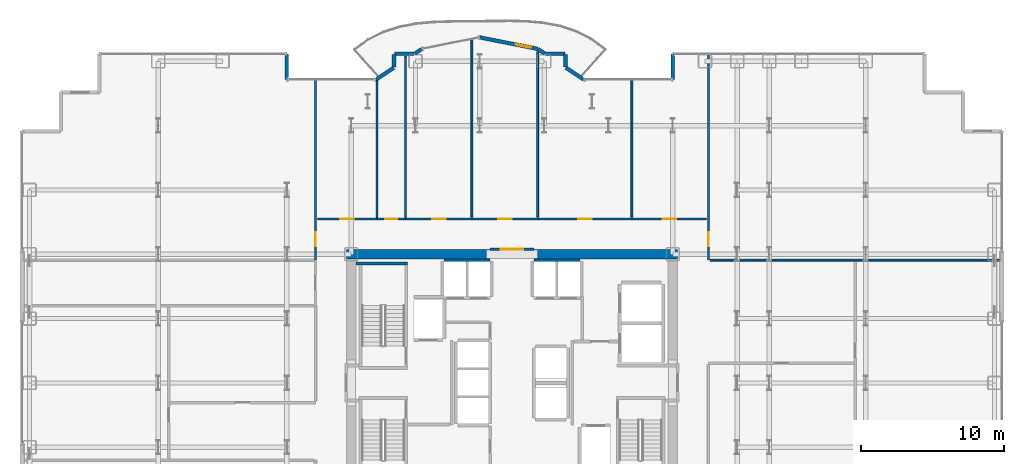
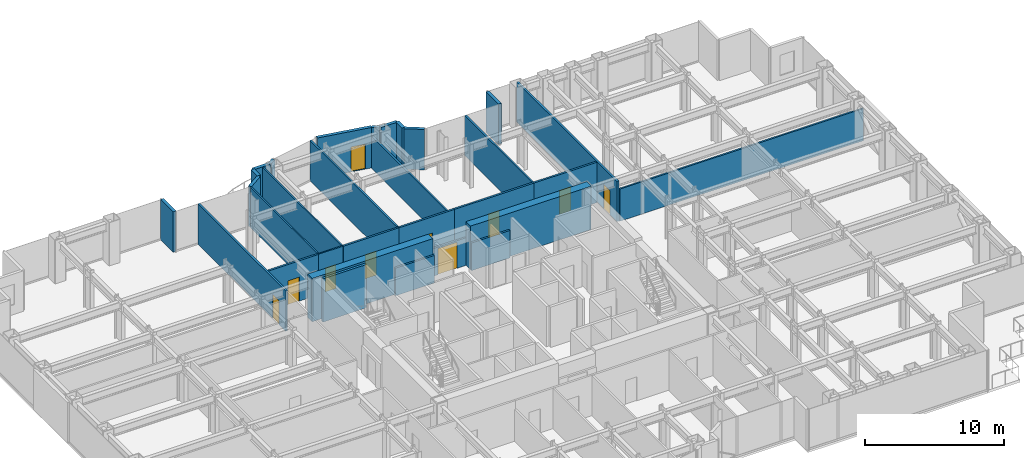
# One storey, part 26 of 29: 31 walls, 10 doors, 10 openings.
"""IFC4 building model written with IfcOpenShell, lengths in metres."""

from ifc_helpers import new_model, si_unit, direction, frame, frame_2d, origin, place, context, subcontext, project, spatial, rectangle, extrude, source, transform, mapped, material, layer, layer_set, type_object, element, fill, save


model = new_model("IFC4")

# Units and contexts
model_context = context("Model", 3, precision=1e-05, world=origin(), true_north=direction((0.0, 1.0)))
body_context = subcontext(model_context, "Body", "Model", "MODEL_VIEW")
ifc_project = project(units=[si_unit("LENGTHUNIT", "METRE"), si_unit("AREAUNIT", "SQUARE_METRE"), si_unit("VOLUMEUNIT", "CUBIC_METRE"), si_unit("PLANEANGLEUNIT", "RADIAN"), si_unit("MASSUNIT", "GRAM", prefix="KILO")], contexts=[model_context])

# Site, building, storey
site_placement = place(None, origin())
site = spatial("IfcSite", under=ifc_project, at=site_placement, CompositionType="ELEMENT")
building_placement = place(site_placement, origin())
building = spatial("IfcBuilding", under=site, at=building_placement, Name="Nefas-Gora Pilgrimage Tower", CompositionType="ELEMENT")
storey_placement = place(building_placement, frame((0.0, 0.0, 67.199951171875)))
storey = spatial("IfcBuildingStorey", under=building, at=storey_placement, Name="L15", CompositionType="ELEMENT", Elevation=67.199951171875)

# Walls
ifc_material_1 = material(Name="Concrete C60/75", Category="concrete")
ifc_layer_1 = layer(ifc_material_1, 0.64990234375)
ifc_layer_set_1 = layer_set([ifc_layer_1], Name="Concrete C60/75")
wall_type_1 = type_object("IfcWallType", Name="SW-CORE-650", PredefinedType="SHEAR", material=ifc_layer_set_1)
shared_shape_1 = source(origin(), body_context, "Body", "SweptSolid", [
    extrude(rectangle(XDim=10.02490234375, YDim=0.64990234375, at=frame_2d((5.012451171875, 0.0))), origin(), (0.0, 0.0, 1.0), 3.800048828125),
])
for number, where, z_axis, x_axis, name in (
    (1, (-11.574951171875, 9.0, 0.0), (0.0, 0.0, 1.0), (1.0, 0.0, 0.0), "L15 Core Shear Wall N-West"),
    (2, (1.550048828125, 9.0, 0.0), (0.0, 0.0, 1.0), (1.0, 0.0, 0.0), "L15 Core Shear Wall N-East"),
):
    element("IfcWall", number, at=place(storey_placement, frame(where, z_axis=z_axis, x_axis=x_axis)), inside=storey, type_object=wall_type_1, Name=name, PredefinedType="SHEAR", context=body_context, shape_type="MappedRepresentation", body=[
        mapped(shared_shape_1, transform((0.0, 0.0, 0.0), x_axis=(1.0, 0.0, 0.0), y_axis=(0.0, 1.0, 0.0), z_axis=(0.0, 0.0, 1.0), scale=1.0)),
    ])
ifc_material_2 = material(Name="Precast concrete C40/50", Category="concrete")
ifc_layer_2 = layer(ifc_material_2, 0.260009765625)
ifc_layer_set_2 = layer_set([ifc_layer_2], Name="Precast concrete C40/50")
wall_type_2 = type_object("IfcWallType", Name="EW-PORTAL-260", PredefinedType="SOLIDWALL", material=ifc_layer_set_2)
shared_shape_2 = source(origin(), body_context, "Body", "SweptSolid", [
    extrude(rectangle(XDim=1.800048828125, YDim=0.260009765625, at=frame_2d((0.89990234375, 0.0))), origin(), (0.0, 0.0, 1.0), 3.550048828125),
])
for number, where, z_axis, x_axis, name in (
    (3, (11.25, 23.02001953125, 0.0), (0.0, 0.0, 1.0), (0.0, -1.0, 0.0), "L15 Lobe Shoulder Precast Spandrel Pier 13"),
    (4, (-15.75, 21.219970703125, 0.0), (0.0, 0.0, 1.0), (0.0, 1.0, 0.0), "L15 Lobe Shoulder Precast Spandrel Pier 23"),
):
    element("IfcWall", number, at=place(storey_placement, frame(where, z_axis=z_axis, x_axis=x_axis)), inside=storey, type_object=wall_type_2, Name=name, PredefinedType="SOLIDWALL", context=body_context, shape_type="MappedRepresentation", body=[
        mapped(shared_shape_2, transform((0.0, 0.0, 0.0), x_axis=(1.0, 0.0, 0.0), y_axis=(0.0, 1.0, 0.0), z_axis=(0.0, 0.0, 1.0), scale=1.0)),
    ])
shared_shape_3 = source(origin(), body_context, "Body", "SweptSolid", [
    extrude(rectangle(XDim=1.468994140625, YDim=0.260009765625, at=frame_2d((0.734375, 0.0))), origin(), (0.0, 0.0, 1.0), 3.550048828125),
])
for number, where, z_axis, x_axis, name in (
    (5, (4.99462890625, 21.235595703125, 0.0), (0.0, 0.0, 1.0), (-0.831461760506, 0.555581983884, 0.0), "L15 Lobe Shoulder Precast Spandrel Pier 14"),
    (6, (-8.273193359375, 22.0517578125, 0.0), (0.0, 0.0, 1.0), (-0.831461760506, -0.555581983884, 0.0), "L15 Lobe Shoulder Precast Spandrel Pier 22"),
):
    element("IfcWall", number, at=place(storey_placement, frame(where, z_axis=z_axis, x_axis=x_axis)), inside=storey, type_object=wall_type_2, Name=name, PredefinedType="SOLIDWALL", context=body_context, shape_type="MappedRepresentation", body=[
        mapped(shared_shape_3, transform((0.0, 0.0, 0.0), x_axis=(1.0, 0.0, 0.0), y_axis=(0.0, 1.0, 0.0), z_axis=(0.0, 0.0, 1.0), scale=1.0)),
    ])
shared_shape_4 = source(origin(), body_context, "Body", "SweptSolid", [
    extrude(rectangle(XDim=0.896728515625, YDim=0.260009765625, at=frame_2d((0.4482421875, 0.0))), origin(), (0.0, 0.0, 1.0), 3.550048828125),
])
for number, where, z_axis, x_axis, name in (
    (7, (3.75, 22.09521484375, 0.0), (0.0, 0.0, 1.0), (0.0, 1.0, 0.0), "L15 Lobe Shoulder Precast Spandrel Pier 15"),
    (8, (-8.25, 22.991943359375, 0.0), (0.0, 0.0, 1.0), (0.0, -1.0, 0.0), "L15 Lobe Shoulder Precast Spandrel Pier 21"),
):
    element("IfcWall", number, at=place(storey_placement, frame(where, z_axis=z_axis, x_axis=x_axis)), inside=storey, type_object=wall_type_2, Name=name, PredefinedType="SOLIDWALL", context=body_context, shape_type="MappedRepresentation", body=[
        mapped(shared_shape_4, transform((0.0, 0.0, 0.0), x_axis=(1.0, 0.0, 0.0), y_axis=(0.0, 1.0, 0.0), z_axis=(0.0, 0.0, 1.0), scale=1.0)),
    ])
shared_shape_5 = source(origin(), body_context, "Body", "SweptSolid", [
    extrude(rectangle(XDim=1.369873046875, YDim=0.260009765625, at=frame_2d((0.68505859375, 0.0))), origin(), (0.0, 0.0, 1.0), 3.550048828125),
])
for number, where, z_axis, x_axis, name in (
    (9, (3.721923828125, 23.02001953125, 0.0), (0.0, 0.0, 1.0), (-1.0, 0.0, 0.0), "L15 Lobe Shoulder Precast Spandrel Pier 16"),
    (10, (-6.85205078125, 23.02001953125, 0.0), (0.0, 0.0, 1.0), (-1.0, 0.0, 0.0), "L15 Lobe Shoulder Precast Spandrel Pier 20"),
):
    element("IfcWall", number, at=place(storey_placement, frame(where, z_axis=z_axis, x_axis=x_axis)), inside=storey, type_object=wall_type_2, Name=name, PredefinedType="SOLIDWALL", context=body_context, shape_type="MappedRepresentation", body=[
        mapped(shared_shape_5, transform((0.0, 0.0, 0.0), x_axis=(1.0, 0.0, 0.0), y_axis=(0.0, 1.0, 0.0), z_axis=(0.0, 0.0, 1.0), scale=1.0)),
    ])
shared_shape_6 = source(origin(), body_context, "Body", "SweptSolid", [
    extrude(rectangle(XDim=0.5654296875, YDim=0.260009765625, at=frame_2d((0.28271484375, 0.0))), origin(), (0.0, 0.0, 1.0), 3.550048828125),
])
for number, where, z_axis, x_axis, name in (
    (11, (2.30078125, 23.03564453125, 0.0), (0.0, 0.0, 1.0), (-0.831651492666, 0.555297933317, 0.0), "L15 Lobe Shoulder Precast Spandrel Pier 17"),
    (12, (-6.33056640625, 23.349609375, 0.0), (0.0, 0.0, 1.0), (-0.831651492666, -0.555297933317, 0.0), "L15 Lobe Shoulder Precast Spandrel Pier 19"),
):
    element("IfcWall", number, at=place(storey_placement, frame(where, z_axis=z_axis, x_axis=x_axis)), inside=storey, type_object=wall_type_2, Name=name, PredefinedType="SOLIDWALL", context=body_context, shape_type="MappedRepresentation", body=[
        mapped(shared_shape_6, transform((0.0, 0.0, 0.0), x_axis=(1.0, 0.0, 0.0), y_axis=(0.0, 1.0, 0.0), z_axis=(0.0, 0.0, 1.0), scale=1.0)),
    ])

# Wall, opening, door
shared_shape_7 = source(origin(), body_context, "Body", "SweptSolid", [
    extrude(rectangle(XDim=4.136962890625, YDim=0.260009765625, at=frame_2d((2.068359375, 0.0))), origin(), (0.0, 0.0, 1.0), 3.550048828125),
])
wall_1_placement = place(storey_placement, frame((1.807373046875, 23.365234375, 0.0), z_axis=(0.0, 0.0, 1.0), x_axis=(-0.980782170794, 0.195105954428, 0.0)))
wall_1 = element("IfcWall", 13, at=wall_1_placement, inside=storey, type_object=wall_type_2, Name="L15 Insulated Terrace Portal Wall 18", PredefinedType="SOLIDWALL", context=body_context, shape_type="MappedRepresentation", body=[
    mapped(shared_shape_7, transform((0.0, 0.0, 0.0), x_axis=(1.0, 0.0, 0.0), y_axis=(0.0, 1.0, 0.0), z_axis=(0.0, 0.0, 1.0), scale=1.0)),
])
opening_1_placement = place(wall_1_placement, frame((0.48779296875, 0.0, 0.0)))
opening_1 = element("IfcOpeningElement", 14, at=opening_1_placement, cuts=wall_1, Name="Opening ED-B1", PredefinedType="OPENING", context=body_context, shape_type="SweptSolid", body=[
    extrude(rectangle(XDim=1.10009765625, YDim=2.199951171875, at=frame_2d((0.550048828125, 1.10009765625))), frame((0.0, 0.139892578125, 0.0), z_axis=(0.0, -1.0, 0.0), x_axis=(1.0, 0.0, 0.0)), (0.0, 0.0, 1.0), 0.280029296875),
])
ifc_material_3 = material(Name="Thermally broken glazed aluminium balcony door", Category="aluminium")
door_type_1 = type_object("IfcDoorType", Name="DR-EXT-BAL-1100", OperationType="NOTDEFINED", PredefinedType="DOOR", material=ifc_material_3)
shared_shape_8 = source(origin(), body_context, "Body", "SweptSolid", [
    extrude(rectangle(XDim=1.10009765625, YDim=2.199951171875, at=frame_2d((0.550048828125, 1.10009765625))), frame((0.0, 0.02490234375, 0.0), z_axis=(0.0, -1.0, 0.0), x_axis=(1.0, 0.0, 0.0)), (0.0, 0.0, 1.0), 0.050048828125),
])
door_1_placement = place(opening_1_placement, origin())
door_1 = element("IfcDoor", 15, at=door_1_placement, inside=storey, type_object=door_type_1, Name="L15 Exterior Door (L15 N Lobe Wave Balcony)", OperationType="SINGLE_SWING_LEFT", OverallHeight=2.199951171875, OverallWidth=1.10009765625, PredefinedType="DOOR", context=body_context, shape_type="MappedRepresentation", body=[
    mapped(shared_shape_8, transform((0.0, 0.0, 0.0), x_axis=(1.0, 0.0, 0.0), y_axis=(0.0, 1.0, 0.0), z_axis=(0.0, 0.0, 1.0), scale=1.0)),
])
fill(opening_1, door_1)

# Walls
ifc_material_4 = material(Name="Concrete C45/55", Category="concrete")
ifc_layer_3 = layer(ifc_material_4, 0.199951171875)
ifc_layer_set_3 = layer_set([ifc_layer_3], Name="Concrete C45/55")
wall_type_3 = type_object("IfcWallType", Name="IW-STAIR-200", PredefinedType="SOLIDWALL", material=ifc_layer_set_3)
shared_shape_9 = source(origin(), body_context, "Body", "SweptSolid", [
    extrude(rectangle(XDim=3.6298828125, YDim=0.199951171875, at=frame_2d((1.81494140625, 0.0))), origin(), (0.0, 0.0, 1.0), 3.800048828125),
])
wall_2_placement = place(storey_placement, frame((-7.300048828125, 8.35009765625, 0.0), z_axis=(0.0, 0.0, 1.0), x_axis=(-1.0, 0.0, 0.0)))
element("IfcWall", 16, at=wall_2_placement, inside=storey, type_object=wall_type_3, Name="L15 Stairwell Shear Wall ST-01-far", PredefinedType="SOLIDWALL", context=body_context, shape_type="MappedRepresentation", body=[
    mapped(shared_shape_9, transform((0.0, 0.0, 0.0), x_axis=(1.0, 0.0, 0.0), y_axis=(0.0, 1.0, 0.0), z_axis=(0.0, 0.0, 1.0), scale=1.0)),
])
ifc_material_5 = material(Name="Gypsum acoustic stud partition")
ifc_layer_4 = layer(ifc_material_5, 0.159912109375)
ifc_layer_set_4 = layer_set([ifc_layer_4], Name="Gypsum acoustic stud partition")
wall_type_4 = type_object("IfcWallType", Name="IW-CORR-160", PredefinedType="PARTITIONING", material=ifc_layer_set_4)
shared_shape_10 = source(origin(), body_context, "Body", "SweptSolid", [
    extrude(rectangle(XDim=3.199951171875, YDim=0.159912109375, at=frame_2d((1.60009765625, 0.0))), origin(), (0.0, 0.0, 1.0), 2.425048828125),
])
for number, where, z_axis, x_axis, name in (
    (17, (-1.550048828125, 8.580078125, 0.0), (0.0, 0.0, 1.0), (-1.0, 0.0, 0.0), "L15 Hoistway Wall PL1-W-N"),
    (18, (4.75, 8.580078125, 0.0), (0.0, 0.0, 1.0), (-1.0, 0.0, 0.0), "L15 Hoistway Wall PL1-E-N"),
):
    element("IfcWall", number, at=place(storey_placement, frame(where, z_axis=z_axis, x_axis=x_axis)), inside=storey, type_object=wall_type_4, Name=name, PredefinedType="PARTITIONING", context=body_context, shape_type="MappedRepresentation", body=[
        mapped(shared_shape_10, transform((0.0, 0.0, 0.0), x_axis=(1.0, 0.0, 0.0), y_axis=(0.0, 1.0, 0.0), z_axis=(0.0, 0.0, 1.0), scale=1.0)),
    ])

# Wall, opening, door
shared_shape_11 = source(origin(), body_context, "Body", "SweptSolid", [
    extrude(rectangle(XDim=3.08984375, YDim=0.159912109375, at=frame_2d((1.544921875, 0.0))), origin(), (0.0, 0.0, 1.0), 2.425048828125),
])
wall_3_placement = place(storey_placement, frame((-1.544921875, 9.35009765625, 0.0), z_axis=(0.0, 0.0, 1.0), x_axis=(1.0, 0.0, 0.0)))
wall_3 = element("IfcWall", 19, at=wall_3_placement, inside=storey, type_object=wall_type_4, Name="L15 Central Lift Lobby North Portal Wall 13", PredefinedType="PARTITIONING", context=body_context, shape_type="MappedRepresentation", body=[
    mapped(shared_shape_11, transform((0.0, 0.0, 0.0), x_axis=(1.0, 0.0, 0.0), y_axis=(0.0, 1.0, 0.0), z_axis=(0.0, 0.0, 1.0), scale=1.0)),
])
opening_2_placement = place(wall_3_placement, frame((0.7451171875, 0.0, 0.0)))
opening_2 = element("IfcOpeningElement", 20, at=opening_2_placement, cuts=wall_3, Name="Opening ID-HL1", PredefinedType="OPENING", context=body_context, shape_type="SweptSolid", body=[
    extrude(rectangle(XDim=1.60009765625, YDim=2.300048828125, at=frame_2d((0.800048828125, 1.14990234375))), frame((0.0, 0.08984375, 0.0), z_axis=(0.0, -1.0, 0.0), x_axis=(1.0, 0.0, 0.0)), (0.0, 0.0, 1.0), 0.179931640625),
])
ifc_material_6 = material(Name="Double acoustic timber assembly hall door", Category="wood")
door_type_2 = type_object("IfcDoorType", Name="DR-INT-HALL-1600", OperationType="DOUBLE_DOOR_SINGLE_SWING", PredefinedType="DOOR", material=ifc_material_6)
shared_shape_12 = source(origin(), body_context, "Body", "SweptSolid", [
    extrude(rectangle(XDim=1.60009765625, YDim=2.300048828125, at=frame_2d((0.800048828125, 1.14990234375))), frame((0.0, 0.02490234375, 0.0), z_axis=(0.0, -1.0, 0.0), x_axis=(1.0, 0.0, 0.0)), (0.0, 0.0, 1.0), 0.050048828125),
])
door_2_placement = place(opening_2_placement, origin())
door_2 = element("IfcDoor", 21, at=door_2_placement, inside=storey, type_object=door_type_2, Name="L15 Central Lift Lobby North Portal Door 4", OperationType="DOUBLE_DOOR_SINGLE_SWING", OverallHeight=2.300048828125, OverallWidth=1.60009765625, PredefinedType="DOOR", context=body_context, shape_type="MappedRepresentation", body=[
    mapped(shared_shape_12, transform((0.0, 0.0, 0.0), x_axis=(1.0, 0.0, 0.0), y_axis=(0.0, 1.0, 0.0), z_axis=(0.0, 0.0, 1.0), scale=1.0)),
])
fill(opening_2, door_2)

# Wall
ifc_material_7 = material(Name="Gypsum twin-stud partition")
ifc_layer_5 = layer(ifc_material_7, 0.139892578125)
ifc_layer_set_5 = layer_set([ifc_layer_5], Name="Gypsum twin-stud partition")
wall_type_5 = type_object("IfcWallType", Name="IW-UNIT-140", PredefinedType="PARTITIONING", material=ifc_layer_set_5)
shared_shape_13 = source(origin(), body_context, "Body", "SweptSolid", [
    extrude(rectangle(XDim=20.219970703125, YDim=0.139892578125, at=frame_2d((10.10986328125, 0.0))), origin(), (0.0, 0.0, 1.0), 2.824951171875),
])
wall_4_placement = place(storey_placement, frame((13.860107421875, 8.597412109375, 0.0), z_axis=(0.0, 0.0, 1.0), x_axis=(1.0, 0.0, 0.0)))
element("IfcWall", 22, at=wall_4_placement, inside=storey, type_object=wall_type_5, Name="L15 Pilgrim Contemplative Lounge Partition Wall 37", PredefinedType="PARTITIONING", context=body_context, shape_type="MappedRepresentation", body=[
    mapped(shared_shape_13, transform((0.0, 0.0, 0.0), x_axis=(1.0, 0.0, 0.0), y_axis=(0.0, 1.0, 0.0), z_axis=(0.0, 0.0, 1.0), scale=1.0)),
])

# Wall, opening, door
ifc_material_8 = material(Name="Moisture-resistant fire-rated gypsum partition")
ifc_layer_6 = layer(ifc_material_8, 0.1201171875)
ifc_layer_set_6 = layer_set([ifc_layer_6], Name="Moisture-resistant fire-rated gypsum partition")
wall_type_6 = type_object("IfcWallType", Name="IW-WET-120", PredefinedType="PLUMBINGWALL", material=ifc_layer_set_6)
shared_shape_14 = source(origin(), body_context, "Body", "SweptSolid", [
    extrude(rectangle(XDim=2.02001953125, YDim=0.1201171875, at=frame_2d((1.010009765625, 0.0))), origin(), (0.0, 0.0, 1.0), 3.53515625),
])
wall_5_placement = place(storey_placement, frame((-9.4599609375, 11.469970703125, 0.0), z_axis=(0.0, 0.0, 1.0), x_axis=(1.0, 0.0, 0.0)))
wall_5 = element("IfcWall", 23, at=wall_5_placement, inside=storey, type_object=wall_type_6, Name="L15 Accessible Unisex WC Partition Wall 20", PredefinedType="PLUMBINGWALL", context=body_context, shape_type="MappedRepresentation", body=[
    mapped(shared_shape_14, transform((0.0, 0.0, 0.0), x_axis=(1.0, 0.0, 0.0), y_axis=(0.0, 1.0, 0.0), z_axis=(0.0, 0.0, 1.0), scale=1.0)),
])
opening_3_placement = place(wall_5_placement, frame((0.5849609375, 0.0, 0.0)))
opening_3 = element("IfcOpeningElement", 24, at=opening_3_placement, cuts=wall_5, Name="Opening ID-BT1", PredefinedType="OPENING", context=body_context, shape_type="SweptSolid", body=[
    extrude(rectangle(XDim=0.85009765625, YDim=2.10009765625, at=frame_2d((0.425048828125, 1.050048828125))), frame((0.0, 0.070068359375, 0.0), z_axis=(0.0, -1.0, 0.0), x_axis=(1.0, 0.0, 0.0)), (0.0, 0.0, 1.0), 0.14013671875),
])
ifc_material_9 = material(Name="Moisture-resistant fire-rated timber door", Category="wood")
door_type_3 = type_object("IfcDoorType", Name="DR-INT-BATH-850", OperationType="NOTDEFINED", PredefinedType="DOOR", material=ifc_material_9)
shared_shape_15 = source(origin(), body_context, "Body", "SweptSolid", [
    extrude(rectangle(XDim=0.85009765625, YDim=2.10009765625, at=frame_2d((0.425048828125, 1.050048828125))), frame((0.0, 0.02490234375, 0.0), z_axis=(0.0, -1.0, 0.0), x_axis=(1.0, 0.0, 0.0)), (0.0, 0.0, 1.0), 0.050048828125),
])
door_3_placement = place(opening_3_placement, origin())
door_3 = element("IfcDoor", 25, at=door_3_placement, inside=storey, type_object=door_type_3, Name="L15 Accessible Unisex WC Door 8", OperationType="SINGLE_SWING_RIGHT", OverallHeight=2.10009765625, OverallWidth=0.85009765625, PredefinedType="DOOR", context=body_context, shape_type="MappedRepresentation", body=[
    mapped(shared_shape_15, transform((0.0, 0.0, 0.0), x_axis=(1.0, 0.0, 0.0), y_axis=(0.0, 1.0, 0.0), z_axis=(0.0, 0.0, 1.0), scale=1.0)),
])
fill(opening_3, door_3)

# Walls
shared_shape_16 = source(origin(), body_context, "Body", "SweptSolid", [
    extrude(rectangle(XDim=11.280029296875, YDim=0.1201171875, at=frame_2d((5.64013671875, 0.0))), origin(), (0.0, 0.0, 1.0), 3.53515625),
])
wall_6_placement = place(storey_placement, frame((-7.449951171875, 11.570068359375, 0.0), z_axis=(0.0, 0.0, 1.0), x_axis=(0.0, 1.0, 0.0)))
element("IfcWall", 26, at=wall_6_placement, inside=storey, type_object=wall_type_6, Name="L15 Accessible Unisex WC Partition Wall 21", PredefinedType="PLUMBINGWALL", context=body_context, shape_type="MappedRepresentation", body=[
    mapped(shared_shape_16, transform((0.0, 0.0, 0.0), x_axis=(1.0, 0.0, 0.0), y_axis=(0.0, 1.0, 0.0), z_axis=(0.0, 0.0, 1.0), scale=1.0)),
])
shared_shape_17 = source(origin(), body_context, "Body", "SweptSolid", [
    extrude(rectangle(XDim=9.586669921875, YDim=0.1201171875, at=frame_2d((4.79345703125, 0.0))), origin(), (0.0, 0.0, 1.0), 3.53515625),
])
wall_7_placement = place(storey_placement, frame((-9.449951171875, 11.570068359375, 0.0), z_axis=(0.0, 0.0, 1.0), x_axis=(0.0, 1.0, 0.0)))
element("IfcWall", 27, at=wall_7_placement, inside=storey, type_object=wall_type_6, Name="L15 Accessible Unisex WC Partition Wall 22", PredefinedType="PLUMBINGWALL", context=body_context, shape_type="MappedRepresentation", body=[
    mapped(shared_shape_17, transform((0.0, 0.0, 0.0), x_axis=(1.0, 0.0, 0.0), y_axis=(0.0, 1.0, 0.0), z_axis=(0.0, 0.0, 1.0), scale=1.0)),
])

# Wall, opening, door
shared_shape_18 = source(origin(), body_context, "Body", "SweptSolid", [
    extrude(rectangle(XDim=4.125, YDim=0.159912109375, at=frame_2d((2.0625, 0.0))), origin(), (0.0, 0.0, 1.0), 3.53515625),
])
wall_8_placement = place(storey_placement, frame((-13.6201171875, 11.469970703125, 0.0), z_axis=(0.0, 0.0, 1.0), x_axis=(1.0, 0.0, 0.0)))
wall_8 = element("IfcWall", 28, at=wall_8_placement, inside=storey, type_object=wall_type_4, Name="L15 Pilgrim Contemplative Lounge Partition Wall 41", PredefinedType="PARTITIONING", context=body_context, shape_type="MappedRepresentation", body=[
    mapped(shared_shape_18, transform((0.0, 0.0, 0.0), x_axis=(1.0, 0.0, 0.0), y_axis=(0.0, 1.0, 0.0), z_axis=(0.0, 0.0, 1.0), scale=1.0)),
])
opening_4_placement = place(wall_8_placement, frame((1.58740234375, 0.0, 0.0)))
opening_4 = element("IfcOpeningElement", 29, at=opening_4_placement, cuts=wall_8, Name="Opening ID-GR1", PredefinedType="OPENING", context=body_context, shape_type="SweptSolid", body=[
    extrude(rectangle(XDim=0.949951171875, YDim=2.10009765625, at=frame_2d((0.47509765625, 1.050048828125))), frame((0.0, 0.08984375, 0.0), z_axis=(0.0, -1.0, 0.0), x_axis=(1.0, 0.0, 0.0)), (0.0, 0.0, 1.0), 0.179931640625),
])
ifc_material_10 = material(Name="Solid core oak fire-rated guest entrance door")
door_type_4 = type_object("IfcDoorType", Name="DR-INT-GUEST-950", OperationType="NOTDEFINED", PredefinedType="DOOR", material=ifc_material_10)
shared_shape_19 = source(origin(), body_context, "Body", "SweptSolid", [
    extrude(rectangle(XDim=0.949951171875, YDim=2.10009765625, at=frame_2d((0.47509765625, 1.050048828125))), frame((0.0, 0.02490234375, 0.0), z_axis=(0.0, -1.0, 0.0), x_axis=(1.0, 0.0, 0.0)), (0.0, 0.0, 1.0), 0.050048828125),
])
door_4_placement = place(opening_4_placement, origin())
door_4 = element("IfcDoor", 30, at=door_4_placement, inside=storey, type_object=door_type_4, Name="L15 Pilgrim Contemplative Lounge Door 19", OperationType="SINGLE_SWING_LEFT", OverallHeight=2.10009765625, OverallWidth=0.949951171875, PredefinedType="DOOR", context=body_context, shape_type="MappedRepresentation", body=[
    mapped(shared_shape_19, transform((0.0, 0.0, 0.0), x_axis=(1.0, 0.0, 0.0), y_axis=(0.0, 1.0, 0.0), z_axis=(0.0, 0.0, 1.0), scale=1.0)),
])
fill(opening_4, door_4)

# Walls
shared_shape_20 = source(origin(), body_context, "Body", "SweptSolid", [
    extrude(rectangle(XDim=9.64990234375, YDim=0.139892578125, at=frame_2d((4.824951171875, 0.0))), origin(), (0.0, 0.0, 1.0), 3.53515625),
])
wall_9_placement = place(storey_placement, frame((8.39501953125, 11.590087890625, 0.0), z_axis=(0.0, 0.0, 1.0), x_axis=(0.0, 1.0, 0.0)))
element("IfcWall", 31, at=wall_9_placement, inside=storey, type_object=wall_type_5, Name="L15 Pilgrim Contemplative Lounge Partition Wall 47", PredefinedType="PARTITIONING", context=body_context, shape_type="MappedRepresentation", body=[
    mapped(shared_shape_20, transform((0.0, 0.0, 0.0), x_axis=(1.0, 0.0, 0.0), y_axis=(0.0, 1.0, 0.0), z_axis=(0.0, 0.0, 1.0), scale=1.0)),
])
shared_shape_21 = source(origin(), body_context, "Body", "SweptSolid", [
    extrude(rectangle(XDim=11.581298828125, YDim=0.139892578125, at=frame_2d((5.79052734375, 0.0))), origin(), (0.0, 0.0, 1.0), 2.824951171875),
])
wall_10_placement = place(storey_placement, frame((1.794921875, 11.590087890625, 0.0), z_axis=(0.0, 0.0, 1.0), x_axis=(0.0, 1.0, 0.0)))
element("IfcWall", 32, at=wall_10_placement, inside=storey, type_object=wall_type_5, Name="L15 Pilgrim Contemplative Lounge Partition Wall 45", PredefinedType="PARTITIONING", context=body_context, shape_type="MappedRepresentation", body=[
    mapped(shared_shape_21, transform((0.0, 0.0, 0.0), x_axis=(1.0, 0.0, 0.0), y_axis=(0.0, 1.0, 0.0), z_axis=(0.0, 0.0, 1.0), scale=1.0)),
])

# Wall, opening, door
shared_shape_22 = source(origin(), body_context, "Body", "SweptSolid", [
    extrude(rectangle(XDim=4.60498046875, YDim=0.159912109375, at=frame_2d((2.302490234375, 0.0))), origin(), (0.0, 0.0, 1.0), 3.53515625),
])
wall_11_placement = place(storey_placement, frame((-7.405029296875, 11.469970703125, 0.0), z_axis=(0.0, 0.0, 1.0), x_axis=(1.0, 0.0, 0.0)))
wall_11 = element("IfcWall", 33, at=wall_11_placement, inside=storey, type_object=wall_type_4, Name="L15 Pilgrim Contemplative Lounge Partition Wall 42", PredefinedType="PARTITIONING", context=body_context, shape_type="MappedRepresentation", body=[
    mapped(shared_shape_22, transform((0.0, 0.0, 0.0), x_axis=(1.0, 0.0, 0.0), y_axis=(0.0, 1.0, 0.0), z_axis=(0.0, 0.0, 1.0), scale=1.0)),
])
opening_5_placement = place(wall_11_placement, frame((1.827392578125, 0.0, 0.0)))
opening_5 = element("IfcOpeningElement", 34, at=opening_5_placement, cuts=wall_11, Name="Opening ID-GR1", PredefinedType="OPENING", context=body_context, shape_type="SweptSolid", body=[
    extrude(rectangle(XDim=0.949951171875, YDim=2.10009765625, at=frame_2d((0.47509765625, 1.050048828125))), frame((0.0, 0.08984375, 0.0), z_axis=(0.0, -1.0, 0.0), x_axis=(1.0, 0.0, 0.0)), (0.0, 0.0, 1.0), 0.179931640625),
])
door_5_placement = place(opening_5_placement, origin())
door_5 = element("IfcDoor", 35, at=door_5_placement, inside=storey, type_object=door_type_4, Name="L15 Pilgrim Contemplative Lounge Door 20", OperationType="SINGLE_SWING_RIGHT", OverallHeight=2.10009765625, OverallWidth=0.949951171875, PredefinedType="DOOR", context=body_context, shape_type="MappedRepresentation", body=[
    mapped(shared_shape_19, transform((0.0, 0.0, 0.0), x_axis=(1.0, 0.0, 0.0), y_axis=(0.0, 1.0, 0.0), z_axis=(0.0, 0.0, 1.0), scale=1.0)),
])
fill(opening_5, door_5)

wall_12_placement = place(storey_placement, frame((-2.800048828125, 11.469970703125, 0.0), z_axis=(0.0, 0.0, 1.0), x_axis=(1.0, 0.0, 0.0)))
wall_12 = element("IfcWall", 36, at=wall_12_placement, inside=storey, type_object=wall_type_4, Name="L15 Pilgrim Contemplative Lounge Partition Wall 44", PredefinedType="PARTITIONING", context=body_context, shape_type="MappedRepresentation", body=[
    mapped(shared_shape_22, transform((0.0, 0.0, 0.0), x_axis=(1.0, 0.0, 0.0), y_axis=(0.0, 1.0, 0.0), z_axis=(0.0, 0.0, 1.0), scale=1.0)),
])
opening_6_placement = place(wall_12_placement, frame((1.827392578125, 0.0, 0.0)))
opening_6 = element("IfcOpeningElement", 37, at=opening_6_placement, cuts=wall_12, Name="Opening ID-GR1", PredefinedType="OPENING", context=body_context, shape_type="SweptSolid", body=[
    extrude(rectangle(XDim=0.949951171875, YDim=2.10009765625, at=frame_2d((0.47509765625, 1.050048828125))), frame((0.0, 0.08984375, 0.0), z_axis=(0.0, -1.0, 0.0), x_axis=(1.0, 0.0, 0.0)), (0.0, 0.0, 1.0), 0.179931640625),
])
door_6_placement = place(opening_6_placement, origin())
door_6 = element("IfcDoor", 38, at=door_6_placement, inside=storey, type_object=door_type_4, Name="L15 Pilgrim Contemplative Lounge Door 21", OperationType="SINGLE_SWING_LEFT", OverallHeight=2.10009765625, OverallWidth=0.949951171875, PredefinedType="DOOR", context=body_context, shape_type="MappedRepresentation", body=[
    mapped(shared_shape_19, transform((0.0, 0.0, 0.0), x_axis=(1.0, 0.0, 0.0), y_axis=(0.0, 1.0, 0.0), z_axis=(0.0, 0.0, 1.0), scale=1.0)),
])
fill(opening_6, door_6)

# Wall
shared_shape_23 = source(origin(), body_context, "Body", "SweptSolid", [
    extrude(rectangle(XDim=12.4951171875, YDim=0.139892578125, at=frame_2d((6.24755859375, 0.0))), origin(), (0.0, 0.0, 1.0), 3.53515625),
])
wall_13_placement = place(storey_placement, frame((-2.81005859375, 11.590087890625, 0.0), z_axis=(0.0, 0.0, 1.0), x_axis=(0.0, 1.0, 0.0)))
element("IfcWall", 39, at=wall_13_placement, inside=storey, type_object=wall_type_5, Name="L15 Pilgrim Contemplative Lounge Partition Wall 43", PredefinedType="PARTITIONING", context=body_context, shape_type="MappedRepresentation", body=[
    mapped(shared_shape_23, transform((0.0, 0.0, 0.0), x_axis=(1.0, 0.0, 0.0), y_axis=(0.0, 1.0, 0.0), z_axis=(0.0, 0.0, 1.0), scale=1.0)),
])

# Wall, opening, door
shared_shape_24 = source(origin(), body_context, "Body", "SweptSolid", [
    extrude(rectangle(XDim=12.64501953125, YDim=0.159912109375, at=frame_2d((6.322509765625, 0.0))), origin(), (0.0, 0.0, 1.0), 3.53515625),
])
wall_14_placement = place(storey_placement, frame((-13.739990234375, 8.594970703125, 0.0), z_axis=(0.0, 0.0, 1.0), x_axis=(0.0, 1.0, 0.0)))
wall_14 = element("IfcWall", 40, at=wall_14_placement, inside=storey, type_object=wall_type_4, Name="L15 Pilgrim Contemplative Lounge Partition Wall 33", PredefinedType="PARTITIONING", context=body_context, shape_type="MappedRepresentation", body=[
    mapped(shared_shape_24, transform((0.0, 0.0, 0.0), x_axis=(1.0, 0.0, 0.0), y_axis=(0.0, 1.0, 0.0), z_axis=(0.0, 0.0, 1.0), scale=1.0)),
])
opening_7_placement = place(wall_14_placement, frame((0.982421875, 0.0, 0.0)))
opening_7 = element("IfcOpeningElement", 41, at=opening_7_placement, cuts=wall_14, Name="Opening ID-GR1", PredefinedType="OPENING", context=body_context, shape_type="SweptSolid", body=[
    extrude(rectangle(XDim=0.949951171875, YDim=2.10009765625, at=frame_2d((0.47509765625, 1.050048828125))), frame((0.0, 0.08984375, 0.0), z_axis=(0.0, -1.0, 0.0), x_axis=(1.0, 0.0, 0.0)), (0.0, 0.0, 1.0), 0.179931640625),
])
door_7_placement = place(opening_7_placement, origin())
door_7 = element("IfcDoor", 42, at=door_7_placement, inside=storey, type_object=door_type_4, Name="L15 Pilgrim Contemplative Lounge Door 14", OperationType="SINGLE_SWING_RIGHT", OverallHeight=2.10009765625, OverallWidth=0.949951171875, PredefinedType="DOOR", context=body_context, shape_type="MappedRepresentation", body=[
    mapped(shared_shape_19, transform((0.0, 0.0, 0.0), x_axis=(1.0, 0.0, 0.0), y_axis=(0.0, 1.0, 0.0), z_axis=(0.0, 0.0, 1.0), scale=1.0)),
])
fill(opening_7, door_7)

shared_shape_25 = source(origin(), body_context, "Body", "SweptSolid", [
    extrude(rectangle(XDim=14.45263671875, YDim=0.159912109375, at=frame_2d((7.226318359375, 0.0))), origin(), (0.0, 0.0, 1.0), 3.53515625),
])
wall_15_placement = place(storey_placement, frame((13.739990234375, 8.58740234375, 0.0), z_axis=(0.0, 0.0, 1.0), x_axis=(0.0, 1.0, 0.0)))
wall_15 = element("IfcWall", 43, at=wall_15_placement, inside=storey, type_object=wall_type_4, Name="L15 Pilgrim Contemplative Lounge Partition Wall 36", PredefinedType="PARTITIONING", context=body_context, shape_type="MappedRepresentation", body=[
    mapped(shared_shape_25, transform((0.0, 0.0, 0.0), x_axis=(1.0, 0.0, 0.0), y_axis=(0.0, 1.0, 0.0), z_axis=(0.0, 0.0, 1.0), scale=1.0)),
])
opening_8_placement = place(wall_15_placement, frame((0.986083984375, 0.0, 0.0)))
opening_8 = element("IfcOpeningElement", 44, at=opening_8_placement, cuts=wall_15, Name="Opening ID-GR1", PredefinedType="OPENING", context=body_context, shape_type="SweptSolid", body=[
    extrude(rectangle(XDim=0.949951171875, YDim=2.10009765625, at=frame_2d((0.47509765625, 1.050048828125))), frame((0.0, 0.08984375, 0.0), z_axis=(0.0, -1.0, 0.0), x_axis=(1.0, 0.0, 0.0)), (0.0, 0.0, 1.0), 0.179931640625),
])
door_8_placement = place(opening_8_placement, origin())
door_8 = element("IfcDoor", 45, at=door_8_placement, inside=storey, type_object=door_type_4, Name="L15 Pilgrim Contemplative Lounge Door 16", OperationType="SINGLE_SWING_RIGHT", OverallHeight=2.10009765625, OverallWidth=0.949951171875, PredefinedType="DOOR", context=body_context, shape_type="MappedRepresentation", body=[
    mapped(shared_shape_19, transform((0.0, 0.0, 0.0), x_axis=(1.0, 0.0, 0.0), y_axis=(0.0, 1.0, 0.0), z_axis=(0.0, 0.0, 1.0), scale=1.0)),
])
fill(opening_8, door_8)

shared_shape_26 = source(origin(), body_context, "Body", "SweptSolid", [
    extrude(rectangle(XDim=6.610107421875, YDim=0.159912109375, at=frame_2d((3.30517578125, 0.0))), origin(), (0.0, 0.0, 1.0), 3.53515625),
])
wall_16_placement = place(storey_placement, frame((1.794921875, 11.469970703125, 0.0), z_axis=(0.0, 0.0, 1.0), x_axis=(1.0, 0.0, 0.0)))
wall_16 = element("IfcWall", 46, at=wall_16_placement, inside=storey, type_object=wall_type_4, Name="L15 Pilgrim Contemplative Lounge Partition Wall 46", PredefinedType="PARTITIONING", context=body_context, shape_type="MappedRepresentation", body=[
    mapped(shared_shape_26, transform((0.0, 0.0, 0.0), x_axis=(1.0, 0.0, 0.0), y_axis=(0.0, 1.0, 0.0), z_axis=(0.0, 0.0, 1.0), scale=1.0)),
])
opening_9_placement = place(wall_16_placement, frame((2.830078125, 0.0, 0.0)))
opening_9 = element("IfcOpeningElement", 47, at=opening_9_placement, cuts=wall_16, Name="Opening ID-GR1", PredefinedType="OPENING", context=body_context, shape_type="SweptSolid", body=[
    extrude(rectangle(XDim=0.949951171875, YDim=2.10009765625, at=frame_2d((0.47509765625, 1.050048828125))), frame((0.0, 0.08984375, 0.0), z_axis=(0.0, -1.0, 0.0), x_axis=(1.0, 0.0, 0.0)), (0.0, 0.0, 1.0), 0.179931640625),
])
door_9_placement = place(opening_9_placement, origin())
door_9 = element("IfcDoor", 48, at=door_9_placement, inside=storey, type_object=door_type_4, Name="L15 Pilgrim Contemplative Lounge Door 22", OperationType="SINGLE_SWING_RIGHT", OverallHeight=2.10009765625, OverallWidth=0.949951171875, PredefinedType="DOOR", context=body_context, shape_type="MappedRepresentation", body=[
    mapped(shared_shape_19, transform((0.0, 0.0, 0.0), x_axis=(1.0, 0.0, 0.0), y_axis=(0.0, 1.0, 0.0), z_axis=(0.0, 0.0, 1.0), scale=1.0)),
])
fill(opening_9, door_9)

shared_shape_27 = source(origin(), body_context, "Body", "SweptSolid", [
    extrude(rectangle(XDim=5.22509765625, YDim=0.159912109375, at=frame_2d((2.612548828125, 0.0))), origin(), (0.0, 0.0, 1.0), 3.53515625),
])
wall_17_placement = place(storey_placement, frame((8.39501953125, 11.469970703125, 0.0), z_axis=(0.0, 0.0, 1.0), x_axis=(1.0, 0.0, 0.0)))
wall_17 = element("IfcWall", 49, at=wall_17_placement, inside=storey, type_object=wall_type_4, Name="L15 Pilgrim Contemplative Lounge Partition Wall 48", PredefinedType="PARTITIONING", context=body_context, shape_type="MappedRepresentation", body=[
    mapped(shared_shape_27, transform((0.0, 0.0, 0.0), x_axis=(1.0, 0.0, 0.0), y_axis=(0.0, 1.0, 0.0), z_axis=(0.0, 0.0, 1.0), scale=1.0)),
])
opening_10_placement = place(wall_17_placement, frame((2.137451171875, 0.0, 0.0)))
opening_10 = element("IfcOpeningElement", 50, at=opening_10_placement, cuts=wall_17, Name="Opening ID-GR1", PredefinedType="OPENING", context=body_context, shape_type="SweptSolid", body=[
    extrude(rectangle(XDim=0.949951171875, YDim=2.10009765625, at=frame_2d((0.47509765625, 1.050048828125))), frame((0.0, 0.08984375, 0.0), z_axis=(0.0, -1.0, 0.0), x_axis=(1.0, 0.0, 0.0)), (0.0, 0.0, 1.0), 0.179931640625),
])
door_10_placement = place(opening_10_placement, origin())
door_10 = element("IfcDoor", 51, at=door_10_placement, inside=storey, type_object=door_type_4, Name="L15 Pilgrim Contemplative Lounge Door 23", OperationType="SINGLE_SWING_LEFT", OverallHeight=2.10009765625, OverallWidth=0.949951171875, PredefinedType="DOOR", context=body_context, shape_type="MappedRepresentation", body=[
    mapped(shared_shape_19, transform((0.0, 0.0, 0.0), x_axis=(1.0, 0.0, 0.0), y_axis=(0.0, 1.0, 0.0), z_axis=(0.0, 0.0, 1.0), scale=1.0)),
])
fill(opening_10, door_10)

save(model, "model.ifc")
